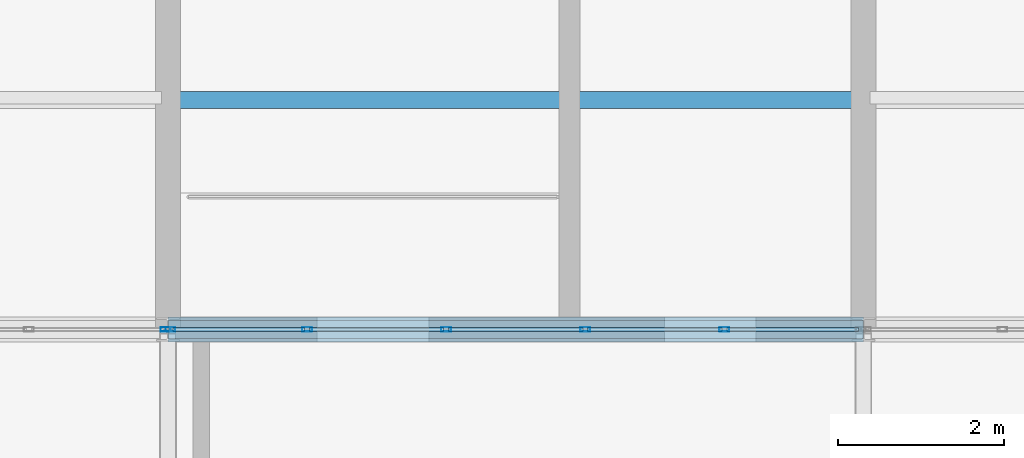
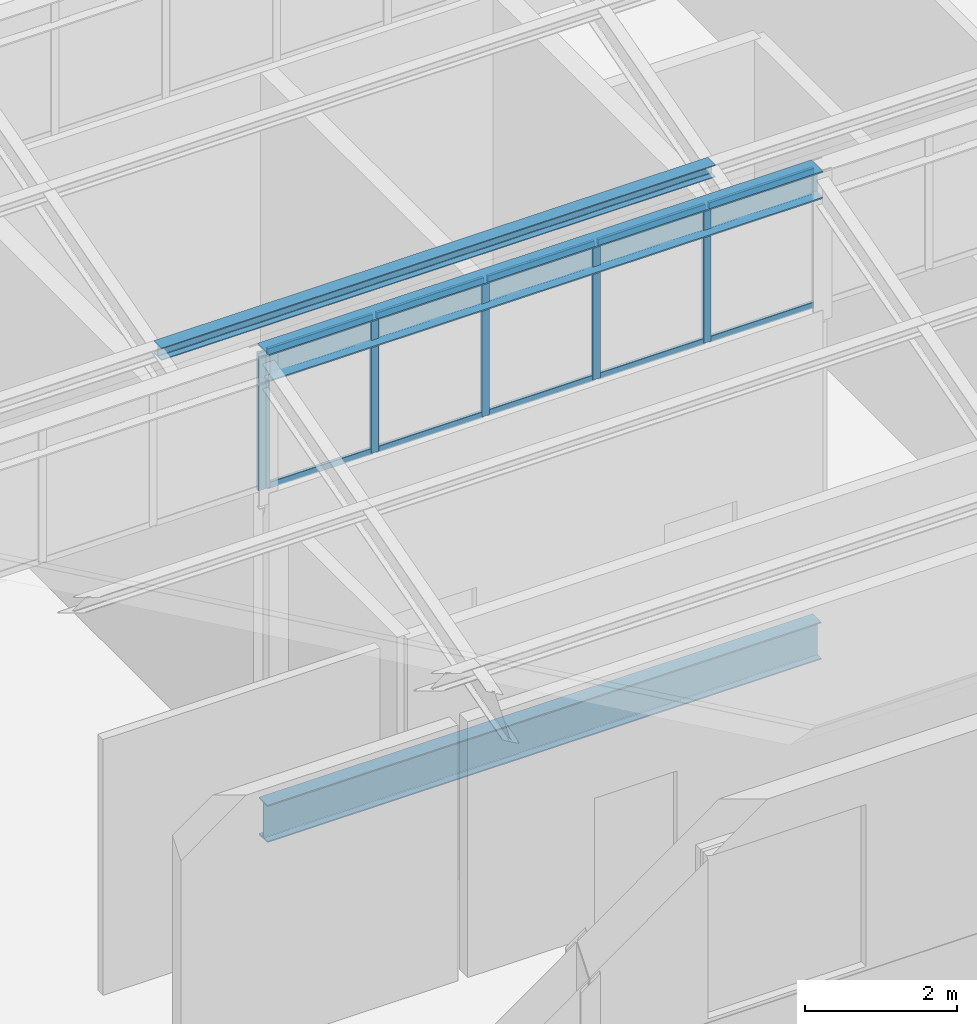
# One storey, part 8 of 53: 17 members, 2 beams, 2 elements without a shape of their own.
"""IFC4 building model written with IfcOpenShell, lengths in metres."""

from ifc_helpers import new_model, si_unit, direction, frame, origin, origin_2d, place, context, subcontext, project, spatial, hollow_rectangle, i_section, extrude, material, layer, layer_set, material_profile, profile_set, type_object, element, aggregate, save


model = new_model("IFC4")

# Units and contexts
model_context = context("Model", 3, precision=1e-05, world=origin(), true_north=direction((0.0, 1.0)))
body_context = subcontext(model_context, "Body", "Model", "MODEL_VIEW")
ifc_project = project(units=[si_unit("LENGTHUNIT", "METRE"), si_unit("AREAUNIT", "SQUARE_METRE"), si_unit("VOLUMEUNIT", "CUBIC_METRE"), si_unit("PLANEANGLEUNIT", "RADIAN"), si_unit("MASSUNIT", "GRAM", prefix="KILO")], contexts=[model_context])

# Site, building, storey
site_placement = place(None, origin())
site = spatial("IfcSite", under=ifc_project, at=site_placement, CompositionType="ELEMENT")
building_placement = place(site_placement, origin())
building = spatial("IfcBuilding", under=site, at=building_placement, Name="Qalvenar Corner Mobility Hub", CompositionType="ELEMENT")
storey_placement = place(building_placement, frame((0.0, 0.0, 26.39990234375)))
storey = spatial("IfcBuildingStorey", under=building, at=storey_placement, Name="L06", CompositionType="ELEMENT", Elevation=26.39990234375)

# Beams
ifc_material_1 = material(Name="Steel S355", Category="steel")
ifc_material_profile_1 = material_profile(ifc_material_1, i_section(OverallWidth=0.300048828125, OverallDepth=0.43994140625, WebThickness=0.011474609375, FlangeThickness=0.02099609375, FilletRadius=0.027099609375, at=origin_2d()), Name="HEA450")
ifc_profile_set_1 = profile_set([ifc_material_profile_1], Name="Steel S355")
beam_type_1 = type_object("IfcBeamType", Name="BM-HEA450", PredefinedType="BEAM", material=ifc_profile_set_1)
beam_1_placement = place(storey_placement, frame((8.39990234375, 8.39990234375, 6.81005859375), z_axis=(1.0, 0.0, 0.0), x_axis=(0.0, 1.0, 0.0)))
element("IfcBeam", 1, at=beam_1_placement, inside=storey, type_object=beam_type_1, Name="Sawtooth Ridge Girder V3RDG-1-2", PredefinedType="BEAM", context=body_context, shape_type="SweptSolid", body=[
    extrude(i_section(OverallWidth=0.300048828125, OverallDepth=0.43994140625, WebThickness=0.011474609375, FlangeThickness=0.02099609375, FilletRadius=0.027099609375, at=origin_2d()), origin(), (0.0, 0.0, 1.0), 8.400146484375),
])
ifc_material_profile_2 = material_profile(ifc_material_1, i_section(OverallWidth=0.219970703125, OverallDepth=0.60009765625, WebThickness=0.011962890625, FlangeThickness=0.01904296875, FilletRadius=0.02392578125, at=origin_2d()), Name="IPE600")
ifc_profile_set_2 = profile_set([ifc_material_profile_2], Name="Steel S355")
beam_type_2 = type_object("IfcBeamType", Name="BM-IPE600", PredefinedType="BEAM", material=ifc_profile_set_2)
beam_2_placement = place(storey_placement, frame((8.39990234375, 8.39990234375, -0.52001953125), z_axis=(1.0, 0.0, 0.0), x_axis=(0.0, 1.0, 0.0)))
element("IfcBeam", 2, at=beam_2_placement, inside=storey, type_object=beam_type_2, Name="Primary Steel Girder GX-3058", PredefinedType="BEAM", context=body_context, shape_type="SweptSolid", body=[
    extrude(i_section(OverallWidth=0.219970703125, OverallDepth=0.60009765625, WebThickness=0.011962890625, FlangeThickness=0.01904296875, FilletRadius=0.02392578125, at=origin_2d()), origin(), (0.0, 0.0, 1.0), 8.400146484375),
])

# Curtain wall, member
ifc_material_2 = material(Name="Anodised Aluminium and Low-E Glazing", Category="aluminium")
ifc_layer = layer(ifc_material_2, 0.1201171875)
ifc_layer_set = layer_set([ifc_layer], Name="Anodised Aluminium and Low-E Glazing")
curtain_wall_type = type_object("IfcCurtainWallType", Name="CW-CLR-84X24", PredefinedType="NOTDEFINED", material=ifc_layer_set)
curtain_wall_1_placement = place(storey_placement, origin())
curtain_wall_1 = element("IfcCurtainWall", 3, at=curtain_wall_1_placement, inside=storey, type_object=curtain_wall_type, Name="Glazed Curtain Wall CW-V3-SAW-1-0", PredefinedType="NOTDEFINED")
ifc_material_3 = material(Name="Anodised Aluminium 6063-T6", Category="aluminium")
ifc_material_profile_3 = material_profile(ifc_material_3, hollow_rectangle(XDim=0.054931640625, YDim=0.1201171875, WallThickness=0.00341796875, InnerFilletRadius=0.00341796875, OuterFilletRadius=0.007080078125, at=origin_2d()), Name="RHS120x55x3.5")
ifc_profile_set_3 = profile_set([ifc_material_profile_3], Name="Anodised Aluminium 6063-T6")
member_type_1 = type_object("IfcMemberType", Name="CW-MUL120", PredefinedType="MULLION", material=ifc_profile_set_3)
member_1_placement = place(storey_placement, frame((8.3701171875, 8.39990234375, 4.800048828125), z_axis=(0.0, 0.0, 1.0), x_axis=(0.0, -1.0, 0.0)))
member_1 = element("IfcMember", 4, at=member_1_placement, type_object=member_type_1, Name="CW-12 mullion 1", PredefinedType="MULLION", context=body_context, shape_type="SweptSolid", body=[
    extrude(hollow_rectangle(XDim=0.054931640625, YDim=0.1201171875, WallThickness=0.00341796875, InnerFilletRadius=0.00341796875, OuterFilletRadius=0.007080078125, at=origin_2d()), origin(), (0.0, 0.0, 1.0), 2.199951171875),
])
aggregate(curtain_wall_1, [member_1])

# Curtain wall, members
curtain_wall_2_placement = place(storey_placement, origin())
curtain_wall_2 = element("IfcCurtainWall", 5, at=curtain_wall_2_placement, inside=storey, type_object=curtain_wall_type, Name="Glazed Curtain Wall CW-V3-SAW-1-1", PredefinedType="NOTDEFINED")
member_2_placement = place(storey_placement, frame((15.1201171875, 8.39990234375, 4.800048828125), z_axis=(0.0, 0.0, 1.0), x_axis=(0.0, -1.0, 0.0)))
member_2 = element("IfcMember", 6, at=member_2_placement, type_object=member_type_1, Name="CW-12 mullion 2", PredefinedType="MULLION", context=body_context, shape_type="SweptSolid", body=[
    extrude(hollow_rectangle(XDim=0.054931640625, YDim=0.1201171875, WallThickness=0.00341796875, InnerFilletRadius=0.00341796875, OuterFilletRadius=0.007080078125, at=origin_2d()), origin(), (0.0, 0.0, 1.0), 2.199951171875),
])
member_3_placement = place(storey_placement, frame((13.43994140625, 8.39990234375, 4.800048828125), z_axis=(0.0, 0.0, 1.0), x_axis=(0.0, -1.0, 0.0)))
member_3 = element("IfcMember", 7, at=member_3_placement, type_object=member_type_1, Name="CW-12 mullion 3", PredefinedType="MULLION", context=body_context, shape_type="SweptSolid", body=[
    extrude(hollow_rectangle(XDim=0.054931640625, YDim=0.1201171875, WallThickness=0.00341796875, InnerFilletRadius=0.00341796875, OuterFilletRadius=0.007080078125, at=origin_2d()), origin(), (0.0, 0.0, 1.0), 2.199951171875),
])
member_4_placement = place(storey_placement, frame((11.760009765625, 8.39990234375, 4.800048828125), z_axis=(0.0, 0.0, 1.0), x_axis=(0.0, -1.0, 0.0)))
member_4 = element("IfcMember", 8, at=member_4_placement, type_object=member_type_1, Name="CW-12 mullion 4", PredefinedType="MULLION", context=body_context, shape_type="SweptSolid", body=[
    extrude(hollow_rectangle(XDim=0.054931640625, YDim=0.1201171875, WallThickness=0.00341796875, InnerFilletRadius=0.00341796875, OuterFilletRadius=0.007080078125, at=origin_2d()), origin(), (0.0, 0.0, 1.0), 2.199951171875),
])
member_5_placement = place(storey_placement, frame((10.080078125, 8.39990234375, 4.800048828125), z_axis=(0.0, 0.0, 1.0), x_axis=(0.0, -1.0, 0.0)))
member_5 = element("IfcMember", 9, at=member_5_placement, type_object=member_type_1, Name="CW-12 mullion 5", PredefinedType="MULLION", context=body_context, shape_type="SweptSolid", body=[
    extrude(hollow_rectangle(XDim=0.054931640625, YDim=0.1201171875, WallThickness=0.00341796875, InnerFilletRadius=0.00341796875, OuterFilletRadius=0.007080078125, at=origin_2d()), origin(), (0.0, 0.0, 1.0), 2.199951171875),
])
member_6_placement = place(storey_placement, frame((8.429931640625, 8.39990234375, 4.800048828125), z_axis=(0.0, 0.0, 1.0), x_axis=(0.0, -1.0, 0.0)))
member_6 = element("IfcMember", 10, at=member_6_placement, type_object=member_type_1, Name="CW-12 mullion 6", PredefinedType="MULLION", context=body_context, shape_type="SweptSolid", body=[
    extrude(hollow_rectangle(XDim=0.054931640625, YDim=0.1201171875, WallThickness=0.00341796875, InnerFilletRadius=0.00341796875, OuterFilletRadius=0.007080078125, at=origin_2d()), origin(), (0.0, 0.0, 1.0), 2.199951171875),
])
ifc_material_profile_4 = material_profile(ifc_material_3, hollow_rectangle(XDim=0.050048828125, YDim=0.10009765625, WallThickness=0.0029296875, InnerFilletRadius=0.0029296875, OuterFilletRadius=0.006103515625, at=origin_2d()), Name="RHS100x50x3")
ifc_profile_set_4 = profile_set([ifc_material_profile_4], Name="Anodised Aluminium 6063-T6")
member_type_2 = type_object("IfcMemberType", Name="CW-TRN100", PredefinedType="USERDEFINED", material=ifc_profile_set_4)
member_7_placement = place(storey_placement, frame((16.739990234375, 8.39990234375, 4.82763671875), z_axis=(-1.0, 0.0, 0.0), x_axis=(0.0, -1.0, 0.0)))
member_7 = element("IfcMember", 11, at=member_7_placement, type_object=member_type_2, Name="CW-12 transom 1.1", ObjectType="TRANSOM", PredefinedType="USERDEFINED", context=body_context, shape_type="SweptSolid", body=[
    extrude(hollow_rectangle(XDim=0.050048828125, YDim=0.10009765625, WallThickness=0.0029296875, InnerFilletRadius=0.0029296875, OuterFilletRadius=0.006103515625, at=origin_2d()), origin(), (0.0, 0.0, 1.0), 1.590087890625),
])
member_8_placement = place(storey_placement, frame((16.739990234375, 8.39990234375, 6.97265625), z_axis=(-1.0, 0.0, 0.0), x_axis=(0.0, -1.0, 0.0)))
member_8 = element("IfcMember", 12, at=member_8_placement, type_object=member_type_2, Name="CW-12 transom 1.2", ObjectType="TRANSOM", PredefinedType="USERDEFINED", context=body_context, shape_type="SweptSolid", body=[
    extrude(hollow_rectangle(XDim=0.050048828125, YDim=0.10009765625, WallThickness=0.0029296875, InnerFilletRadius=0.0029296875, OuterFilletRadius=0.006103515625, at=origin_2d()), origin(), (0.0, 0.0, 1.0), 1.590087890625),
])
member_9_placement = place(storey_placement, frame((15.090087890625, 8.39990234375, 4.82763671875), z_axis=(-1.0, 0.0, 0.0), x_axis=(0.0, -1.0, 0.0)))
member_9 = element("IfcMember", 13, at=member_9_placement, type_object=member_type_2, Name="CW-12 transom 2.1", ObjectType="TRANSOM", PredefinedType="USERDEFINED", context=body_context, shape_type="SweptSolid", body=[
    extrude(hollow_rectangle(XDim=0.050048828125, YDim=0.10009765625, WallThickness=0.0029296875, InnerFilletRadius=0.0029296875, OuterFilletRadius=0.006103515625, at=origin_2d()), origin(), (0.0, 0.0, 1.0), 1.6201171875),
])
member_10_placement = place(storey_placement, frame((15.090087890625, 8.39990234375, 6.97265625), z_axis=(-1.0, 0.0, 0.0), x_axis=(0.0, -1.0, 0.0)))
member_10 = element("IfcMember", 14, at=member_10_placement, type_object=member_type_2, Name="CW-12 transom 2.2", ObjectType="TRANSOM", PredefinedType="USERDEFINED", context=body_context, shape_type="SweptSolid", body=[
    extrude(hollow_rectangle(XDim=0.050048828125, YDim=0.10009765625, WallThickness=0.0029296875, InnerFilletRadius=0.0029296875, OuterFilletRadius=0.006103515625, at=origin_2d()), origin(), (0.0, 0.0, 1.0), 1.6201171875),
])
member_11_placement = place(storey_placement, frame((13.409912109375, 8.39990234375, 4.82763671875), z_axis=(-1.0, 0.0, 0.0), x_axis=(0.0, -1.0, 0.0)))
member_11 = element("IfcMember", 15, at=member_11_placement, type_object=member_type_2, Name="CW-12 transom 3.1", ObjectType="TRANSOM", PredefinedType="USERDEFINED", context=body_context, shape_type="SweptSolid", body=[
    extrude(hollow_rectangle(XDim=0.050048828125, YDim=0.10009765625, WallThickness=0.0029296875, InnerFilletRadius=0.0029296875, OuterFilletRadius=0.006103515625, at=origin_2d()), origin(), (0.0, 0.0, 1.0), 1.619873046875),
])
member_12_placement = place(storey_placement, frame((13.409912109375, 8.39990234375, 6.97265625), z_axis=(-1.0, 0.0, 0.0), x_axis=(0.0, -1.0, 0.0)))
member_12 = element("IfcMember", 16, at=member_12_placement, type_object=member_type_2, Name="CW-12 transom 3.2", ObjectType="TRANSOM", PredefinedType="USERDEFINED", context=body_context, shape_type="SweptSolid", body=[
    extrude(hollow_rectangle(XDim=0.050048828125, YDim=0.10009765625, WallThickness=0.0029296875, InnerFilletRadius=0.0029296875, OuterFilletRadius=0.006103515625, at=origin_2d()), origin(), (0.0, 0.0, 1.0), 1.619873046875),
])
member_13_placement = place(storey_placement, frame((11.72998046875, 8.39990234375, 4.82763671875), z_axis=(-1.0, 0.0, 0.0), x_axis=(0.0, -1.0, 0.0)))
member_13 = element("IfcMember", 17, at=member_13_placement, type_object=member_type_2, Name="CW-12 transom 4.1", ObjectType="TRANSOM", PredefinedType="USERDEFINED", context=body_context, shape_type="SweptSolid", body=[
    extrude(hollow_rectangle(XDim=0.050048828125, YDim=0.10009765625, WallThickness=0.0029296875, InnerFilletRadius=0.0029296875, OuterFilletRadius=0.006103515625, at=origin_2d()), origin(), (0.0, 0.0, 1.0), 1.619873046875),
])
member_14_placement = place(storey_placement, frame((11.72998046875, 8.39990234375, 6.97265625), z_axis=(-1.0, 0.0, 0.0), x_axis=(0.0, -1.0, 0.0)))
member_14 = element("IfcMember", 18, at=member_14_placement, type_object=member_type_2, Name="CW-12 transom 4.2", ObjectType="TRANSOM", PredefinedType="USERDEFINED", context=body_context, shape_type="SweptSolid", body=[
    extrude(hollow_rectangle(XDim=0.050048828125, YDim=0.10009765625, WallThickness=0.0029296875, InnerFilletRadius=0.0029296875, OuterFilletRadius=0.006103515625, at=origin_2d()), origin(), (0.0, 0.0, 1.0), 1.619873046875),
])
member_15_placement = place(storey_placement, frame((10.050048828125, 8.39990234375, 4.82763671875), z_axis=(-1.0, 0.0, 0.0), x_axis=(0.0, -1.0, 0.0)))
member_15 = element("IfcMember", 19, at=member_15_placement, type_object=member_type_2, Name="CW-12 transom 5.1", ObjectType="TRANSOM", PredefinedType="USERDEFINED", context=body_context, shape_type="SweptSolid", body=[
    extrude(hollow_rectangle(XDim=0.050048828125, YDim=0.10009765625, WallThickness=0.0029296875, InnerFilletRadius=0.0029296875, OuterFilletRadius=0.006103515625, at=origin_2d()), origin(), (0.0, 0.0, 1.0), 1.590087890625),
])
member_16_placement = place(storey_placement, frame((10.050048828125, 8.39990234375, 6.97265625), z_axis=(-1.0, 0.0, 0.0), x_axis=(0.0, -1.0, 0.0)))
member_16 = element("IfcMember", 20, at=member_16_placement, type_object=member_type_2, Name="CW-12 transom 5.2", ObjectType="TRANSOM", PredefinedType="USERDEFINED", context=body_context, shape_type="SweptSolid", body=[
    extrude(hollow_rectangle(XDim=0.050048828125, YDim=0.10009765625, WallThickness=0.0029296875, InnerFilletRadius=0.0029296875, OuterFilletRadius=0.006103515625, at=origin_2d()), origin(), (0.0, 0.0, 1.0), 1.590087890625),
])
aggregate(curtain_wall_2, [member_2, member_3, member_4, member_5, member_6, member_7, member_8, member_9, member_10, member_11, member_12, member_13, member_14, member_15, member_16])

# Member
ifc_material_profile_5 = material_profile(ifc_material_1, i_section(OverallWidth=0.199951171875, OverallDepth=0.199951171875, WebThickness=0.009033203125, FlangeThickness=0.014892578125, FilletRadius=0.01806640625, at=origin_2d()), Name="HEB200")
ifc_profile_set_5 = profile_set([ifc_material_profile_5], Name="Steel S355")
member_type_3 = type_object("IfcMemberType", Name="PR-RHS200", PredefinedType="PURLIN", material=ifc_profile_set_5)
member_17_placement = place(storey_placement, frame((8.39990234375, 11.172119140625, 5.322021484375), z_axis=(1.0, 0.0, 0.0), x_axis=(0.0, 1.0, 0.0)))
element("IfcMember", 21, at=member_17_placement, inside=storey, type_object=member_type_3, Name="Sawtooth Roof Purlin PR-V3-2-2-33", PredefinedType="PURLIN", context=body_context, shape_type="SweptSolid", body=[
    extrude(i_section(OverallWidth=0.199951171875, OverallDepth=0.199951171875, WebThickness=0.009033203125, FlangeThickness=0.014892578125, FilletRadius=0.01806640625, at=origin_2d()), origin(), (0.0, 0.0, 1.0), 8.400146484375),
])

save(model, "model.ifc")
